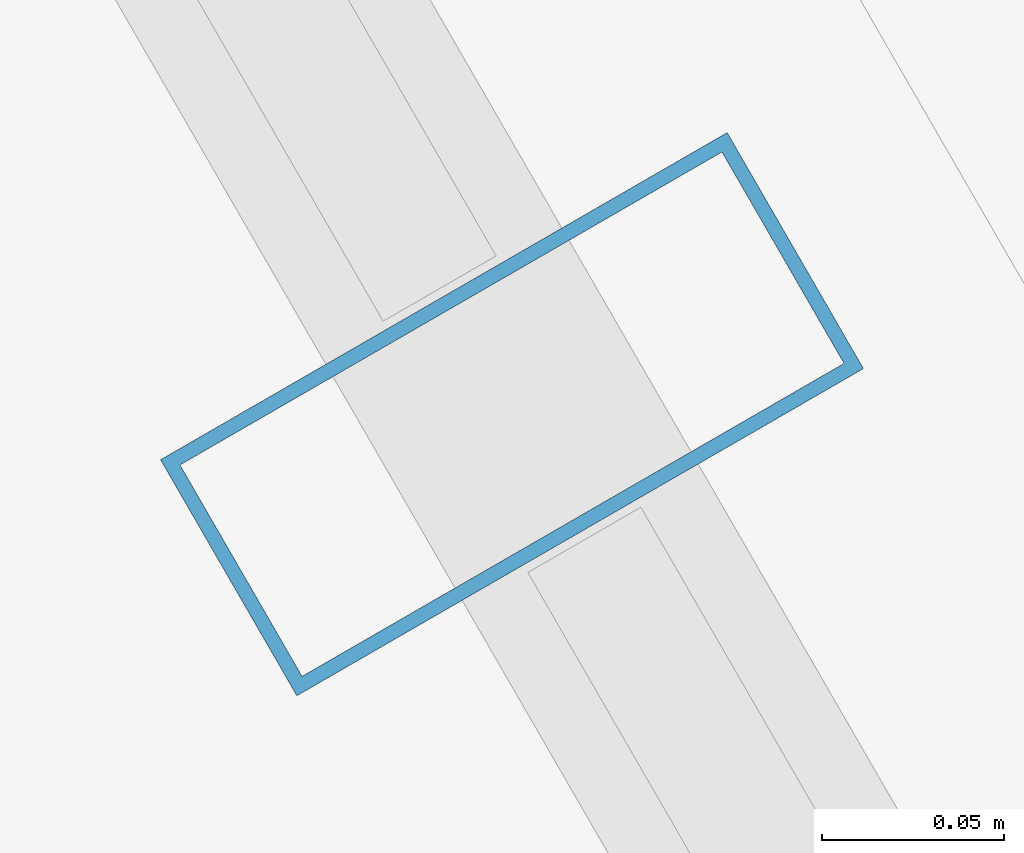
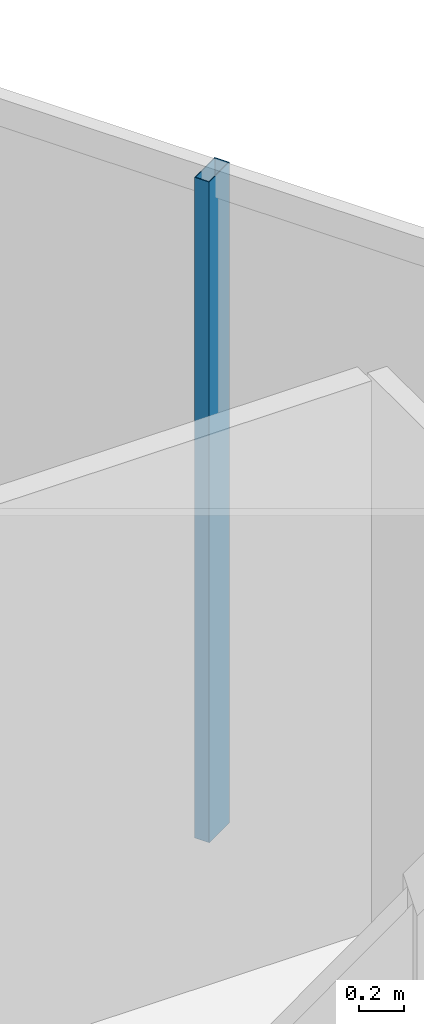
# One storey, part 20 of 32: 1 member, 1 element without a shape of its own.
"""IFC4 building model written with IfcOpenShell, lengths in metres."""

import ifcopenshell
import ifcopenshell.guid

model = None  # the IFC model being written
_history = None  # IfcOwnerHistory: only IFC2X3 demands one
_inside = {}  # id of a spatial element -> (the spatial element, [elements in it])
_under = {}  # id of a project, library or spatial element -> (it, [spatial elements below it])
_declared = {}  # id of a project -> (the project, [libraries it declares])
_typed = {}  # id of a type object -> (the type object, [elements of that type])
_made_of = {}  # id of a material, layer set ... -> (it, [elements and type objects made of it])


def new_model(schema):
    """Start an empty IFC model of exactly this schema.

    Asked for "IFC4X3", IfcOpenShell would pick the latest addendum, in which some entities
    have other attributes; the version numbers below select the first issue.
    IFC2X3 requires an IfcOwnerHistory on every rooted entity: one is made here for all.
    """
    global model, _history
    if schema == "IFC4X3":
        model = ifcopenshell.file(schema_version=(4, 3, 0, 0))
    else:
        model = ifcopenshell.file(schema=schema)
    _inside.clear()
    _under.clear()
    _declared.clear()
    _typed.clear()
    _made_of.clear()
    _history = None
    if model.schema == "IFC2X3":
        org = make("IfcOrganization", Name="unknown")
        user = make(
            "IfcPersonAndOrganization",
            ThePerson=make("IfcPerson", FamilyName="unknown"),
            TheOrganization=org,
        )
        app = make(
            "IfcApplication",
            ApplicationDeveloper=org,
            Version="unknown",
            ApplicationFullName="unknown",
            ApplicationIdentifier="unknown",
        )
        _history = make(
            "IfcOwnerHistory",
            OwningUser=user,
            OwningApplication=app,
            ChangeAction="ADDED",
            CreationDate=0,
        )
    return model


def make(cls, **values):
    """One entity of the class cls with the attributes given. An attribute that is None is left unset."""
    return model.create_entity(
        cls, **{name: value for name, value in values.items() if value is not None}
    )


def rooted(cls, **values):
    """An entity with a GlobalId (a new one), such as an element, a storey or a relation."""
    return make(cls, GlobalId=ifcopenshell.guid.new(), OwnerHistory=_history, **values)


def si_unit(unit_type, name, prefix=None):
    """IfcSIUnit, for example si_unit("LENGTHUNIT", "METRE", prefix="MILLI")."""
    return make("IfcSIUnit", UnitType=unit_type, Prefix=prefix, Name=name)


def assignment(units):
    """IfcUnitAssignment: the units of a project."""
    return None if units is None else make("IfcUnitAssignment", Units=units)


def point(xyz):
    """IfcCartesianPoint."""
    return None if xyz is None else make("IfcCartesianPoint", Coordinates=xyz)


def direction(xyz):
    """IfcDirection."""
    return None if xyz is None else make("IfcDirection", DirectionRatios=xyz)


def frame(location, z_axis=None, x_axis=None):
    """IfcAxis2Placement3D, a coordinate frame: its origin and axes. An axis left out is left unset."""
    return make(
        "IfcAxis2Placement3D",
        Location=point(location),
        Axis=direction(z_axis),
        RefDirection=direction(x_axis),
    )


def frame_2d(location, x_axis=None):
    """IfcAxis2Placement2D, a coordinate frame in the plane: its origin and x axis."""
    return make(
        "IfcAxis2Placement2D", Location=point(location), RefDirection=direction(x_axis)
    )


def origin():
    """The frame at (0, 0, 0) with its axes left unset."""
    return frame((0.0, 0.0, 0.0))


def origin_2d():
    """The frame at (0, 0) in the plane with its x axis left unset."""
    return frame_2d((0.0, 0.0))


def place(relative_to, where):
    """IfcLocalPlacement: puts the frame where relative to a parent placement (None: the world)."""
    return make(
        "IfcLocalPlacement", PlacementRelTo=relative_to, RelativePlacement=where
    )


def context(
    kind, dimensions, precision=None, world=None, true_north=None, identifier=None
):
    """IfcGeometricRepresentationContext, for example the 3D "Model" context."""
    return make(
        "IfcGeometricRepresentationContext",
        ContextIdentifier=identifier,
        ContextType=kind,
        CoordinateSpaceDimension=dimensions,
        Precision=precision,
        WorldCoordinateSystem=world,
        TrueNorth=true_north,
    )


def subcontext(parent, identifier, kind, view, scale=None):
    """IfcGeometricRepresentationSubContext, for example "Body" below "Model"."""
    return make(
        "IfcGeometricRepresentationSubContext",
        ContextIdentifier=identifier,
        ContextType=kind,
        ParentContext=parent,
        TargetScale=scale,
        TargetView=view,
    )


def project(units=None, contexts=None):
    """IfcProject with its units and contexts."""
    return rooted(
        "IfcProject",
        Name="project",
        RepresentationContexts=contexts,
        UnitsInContext=assignment(units),
    )


def spatial(cls, under=None, at=None, **own):
    """A site, building, storey or space (cls), placed at a placement, below another one or the project."""
    s = rooted(cls, ObjectPlacement=at, **own)
    if under is not None:
        _under.setdefault(under.id(), (under, []))[1].append(s)
    return s


def profile(cls, at=None, kind="AREA", **sizes):
    """A parametric profile (cls). Its sizes go by their IFC names, for example OverallWidth=200.0."""
    return make(cls, ProfileType=kind, Position=at, **sizes)


def hollow_rectangle(**sizes):
    """IfcRectangleHollowProfileDef."""
    return profile("IfcRectangleHollowProfileDef", **sizes)


def extrude(swept, where, along, depth):
    """IfcExtrudedAreaSolid: the profile swept, set in the frame where, extruded along a direction by depth."""
    return make(
        "IfcExtrudedAreaSolid",
        SweptArea=swept,
        Position=where,
        ExtrudedDirection=direction(along),
        Depth=depth,
    )


def shape(context_of_items, identifier, shape_type, items):
    """IfcShapeRepresentation: the items that make up one representation, for example the "Body"."""
    return make(
        "IfcShapeRepresentation",
        ContextOfItems=context_of_items,
        RepresentationIdentifier=identifier,
        RepresentationType=shape_type,
        Items=items,
    )


def material(Name=None, Category=None):
    """IfcMaterial."""
    return make("IfcMaterial", Name=Name, Category=Category)


def layer(
    of_material, thickness, ventilated=None, Name=None, Category=None, Priority=None
):
    """IfcMaterialLayer: one layer of a wall or slab, of a material (None: an air gap)."""
    return make(
        "IfcMaterialLayer",
        Material=of_material,
        LayerThickness=thickness,
        IsVentilated=ventilated,
        Name=Name,
        Category=Category,
        Priority=Priority,
    )


def layer_set(layers, Name=None):
    """IfcMaterialLayerSet."""
    return make("IfcMaterialLayerSet", MaterialLayers=layers, LayerSetName=Name)


def material_profile(
    of_material, cross_section, Name=None, Category=None, Priority=None
):
    """IfcMaterialProfile: a cross section and its material."""
    return make(
        "IfcMaterialProfile",
        Name=Name,
        Material=of_material,
        Profile=cross_section,
        Priority=Priority,
        Category=Category,
    )


def profile_set(profiles, Name=None, composite=None):
    """IfcMaterialProfileSet."""
    return make(
        "IfcMaterialProfileSet",
        Name=Name,
        MaterialProfiles=profiles,
        CompositeProfile=composite,
    )


def made_of(thing, what):
    """Note that an element or type object is made of a material, layer set ...; save() writes the relation."""
    if what is not None:
        _made_of.setdefault(what.id(), (what, []))[1].append(thing)
    return thing


def type_object(cls, material=None, **own):
    """A type object (cls), such as IfcWallType, which elements share."""
    return made_of(rooted(cls, **own), material)


def element(
    cls,
    number,
    at=None,
    inside=None,
    cuts=None,
    type_object=None,
    material=None,
    context=None,
    identifier="Body",
    shape_type=None,
    held_by="IfcProductDefinitionShape",
    body=None,
    shapes=None,
    **own,
):
    """One element of the class cls, such as IfcWall. Its Tag is "e" and its number.

    at: its placement. inside: the storey or other place that contains it. cuts: it is an
    opening in that element (IfcRelVoidsElement). A single representation is given by context,
    identifier, shape_type and body (its items); several are given by shapes. held_by: the class
    of the entity that holds the representations. save() writes the other relations.
    """
    e = rooted(cls, Tag="e%d" % number, ObjectPlacement=at, **own)
    if body is not None:
        shapes = [shape(context, identifier, shape_type, body)]
    if shapes is not None:
        e.Representation = make(held_by, Representations=shapes)
    if inside is not None:
        _inside.setdefault(inside.id(), (inside, []))[1].append(e)
    if cuts is not None:
        rooted(
            "IfcRelVoidsElement", RelatingBuildingElement=cuts, RelatedOpeningElement=e
        )
    if type_object is not None:
        _typed.setdefault(type_object.id(), (type_object, []))[1].append(e)
    return made_of(e, material)


def aggregate(whole, parts):
    """IfcRelAggregates: a whole, such as a stair, and the parts it consists of."""
    return rooted("IfcRelAggregates", RelatingObject=whole, RelatedObjects=parts)


def save(model, path):
    """Write the relations noted so far, then the file.

    IfcRelAggregates (storeys below a building ...), IfcRelContainedInSpatialStructure (elements
    in a storey), IfcRelDefinesByType, IfcRelAssociatesMaterial and IfcRelDeclares: one each for
    every whole, place, type object, material and project.
    """
    for whole, parts in _under.values():
        aggregate(whole, parts)
    for where, things in _inside.values():
        rooted(
            "IfcRelContainedInSpatialStructure",
            RelatedElements=things,
            RelatingStructure=where,
        )
    for kind, things in _typed.values():
        rooted("IfcRelDefinesByType", RelatedObjects=things, RelatingType=kind)
    for what, things in _made_of.values():
        rooted("IfcRelAssociatesMaterial", RelatedObjects=things, RelatingMaterial=what)
    for by, libraries in _declared.values():
        rooted("IfcRelDeclares", RelatingContext=by, RelatedDefinitions=libraries)
    model.write(path)


model = new_model("IFC4")

# Units and contexts
model_context = context("Model", 3, precision=1e-05, world=origin(), true_north=direction((0.0, 1.0)))
body_context = subcontext(model_context, "Body", "Model", "MODEL_VIEW")
ifc_project = project(units=[si_unit("LENGTHUNIT", "METRE"), si_unit("AREAUNIT", "SQUARE_METRE"), si_unit("VOLUMEUNIT", "CUBIC_METRE"), si_unit("PLANEANGLEUNIT", "RADIAN"), si_unit("MASSUNIT", "GRAM", prefix="KILO")], contexts=[model_context])

# Site, building, storey
site_placement = place(None, origin())
site = spatial("IfcSite", under=ifc_project, at=site_placement, CompositionType="ELEMENT")
building_placement = place(site_placement, origin())
building = spatial("IfcBuilding", under=site, at=building_placement, Name="Ndaravel Arena Tower", CompositionType="ELEMENT")
storey_placement = place(building_placement, frame((0.0, 0.0, 252.199951171875)))
storey = spatial("IfcBuildingStorey", under=building, at=storey_placement, Name="L61", CompositionType="ELEMENT", Elevation=252.199951171875)

# Curtain wall, member
ifc_material_1 = material(Name="Aluminium", Category="aluminium")
ifc_layer = layer(ifc_material_1, 0.179931640625)
ifc_layer_set = layer_set([ifc_layer], Name="Aluminium")
curtain_wall_type = type_object("IfcCurtainWallType", Name="CW-SYS-03", PredefinedType="NOTDEFINED", material=ifc_layer_set)
curtain_wall_placement = place(storey_placement, origin())
curtain_wall = element("IfcCurtainWall", 1, at=curtain_wall_placement, inside=storey, type_object=curtain_wall_type, Name="L61 Faceted Crystal Curtain Wall CW-L61-E03", PredefinedType="NOTDEFINED")
ifc_material_2 = material(Name="Aluminium", Category="aluminium")
ifc_material_profile = material_profile(ifc_material_2, hollow_rectangle(XDim=0.074951171875, YDim=0.179931640625, WallThickness=0.00390625, at=origin_2d()), Name="CW MULLION 75x180x4")
ifc_profile_set = profile_set([ifc_material_profile], Name="Aluminium")
member_type = type_object("IfcMemberType", Name="MEM-CW-MUL180", PredefinedType="MULLION", material=ifc_profile_set)
member_placement = place(storey_placement, frame((60.416015625, 18.001953125, 0.0), z_axis=(0.0, 0.0, 1.0), x_axis=(-0.5, 0.866025403784, 0.0)))
member = element("IfcMember", 2, at=member_placement, type_object=member_type, Name="CW-L61-E03 Mullion 02", PredefinedType="MULLION", context=body_context, shape_type="SweptSolid", body=[
    extrude(hollow_rectangle(XDim=0.074951171875, YDim=0.179931640625, WallThickness=0.00390625, at=origin_2d()), origin(), (0.0, 0.0, 1.0), 3.580078125),
])
aggregate(curtain_wall, [member])

save(model, "model.ifc")
